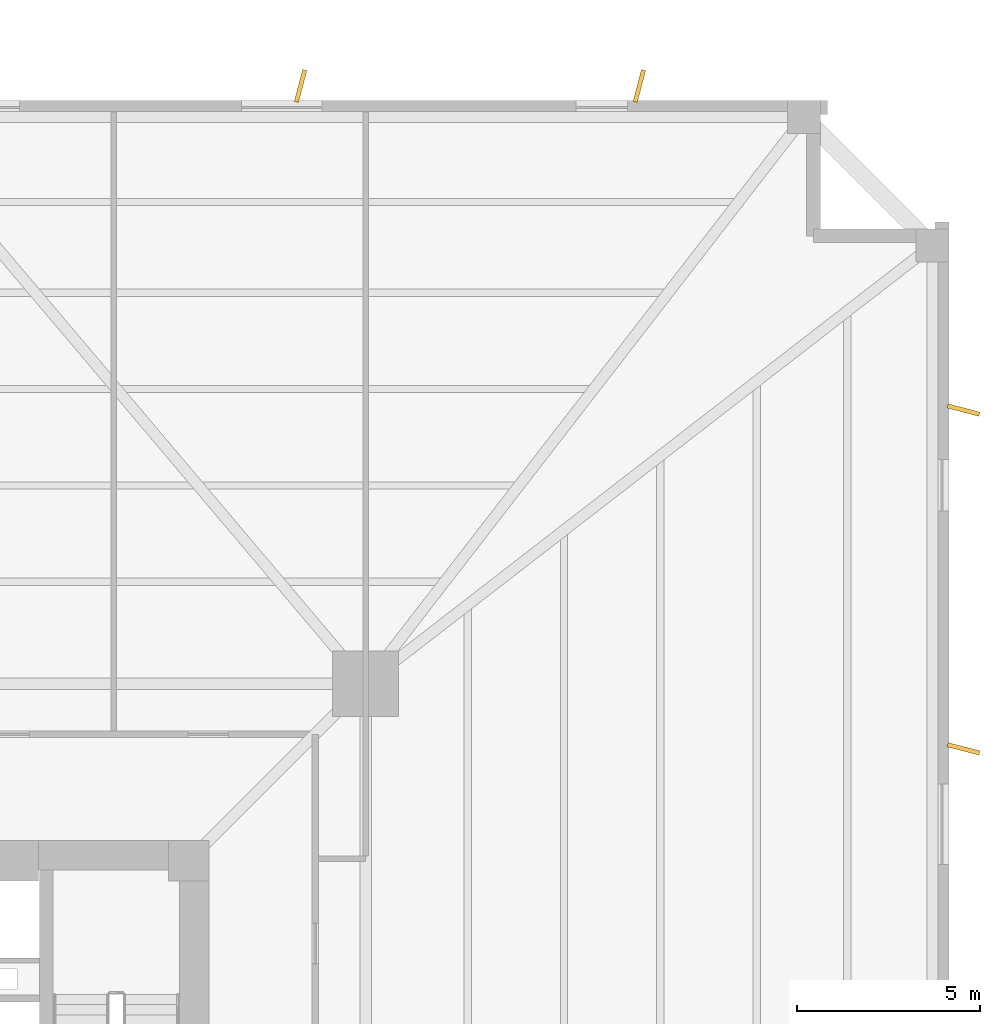
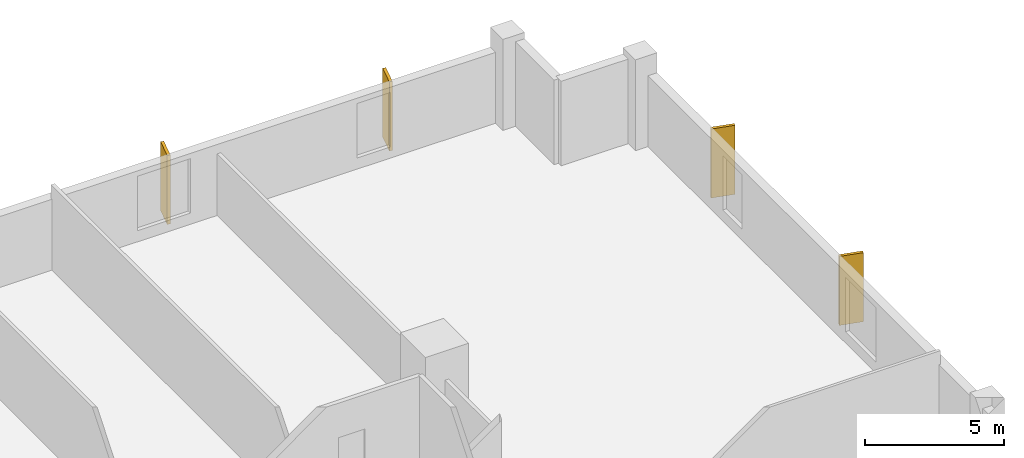
# One storey, part 8 of 8: 4 coverings.
"""IFC4 building model written with IfcOpenShell, lengths in metres."""

from ifc_helpers import new_model, si_unit, direction, frame, origin, origin_2d, place, context, subcontext, project, spatial, rectangle, extrude, source, transform, mapped, material, layer, layer_set, type_object, element, save


model = new_model("IFC4")

# Units and contexts
model_context = context("Model", 3, precision=1e-05, world=origin(), true_north=direction((0.0, 1.0)))
body_context = subcontext(model_context, "Body", "Model", "MODEL_VIEW")
ifc_project = project(units=[si_unit("LENGTHUNIT", "METRE"), si_unit("AREAUNIT", "SQUARE_METRE"), si_unit("VOLUMEUNIT", "CUBIC_METRE"), si_unit("PLANEANGLEUNIT", "RADIAN"), si_unit("MASSUNIT", "GRAM", prefix="KILO"), si_unit("THERMODYNAMICTEMPERATUREUNIT", "KELVIN")], contexts=[model_context])

# Site, building, storey
site_placement = place(None, origin())
site = spatial("IfcSite", under=ifc_project, at=site_placement, CompositionType="ELEMENT")
building_placement = place(site_placement, origin())
building = spatial("IfcBuilding", under=site, at=building_placement, Name="Kosmvard Interchange Tower", CompositionType="ELEMENT")
storey_placement = place(building_placement, frame((0.0, 0.0, 38.0)))
storey = spatial("IfcBuildingStorey", under=building, at=storey_placement, Name="L08", CompositionType="ELEMENT", Elevation=38.0)

# Coverings
ifc_material = material(Name="Architectural anodised aluminium", Category="aluminium")
ifc_layer = layer(ifc_material, 0.1201171875, Name="Architectural anodised aluminium")
ifc_layer_set = layer_set([ifc_layer], Name="Architectural anodised aluminium")
covering_type = type_object("IfcCoveringType", Name="Rotating Vertical Sun-Breaker Fin 900x120 Aluminium", PredefinedType="CLADDING", material=ifc_layer_set)
shared_shape = source(origin(), body_context, "Body", "SweptSolid", [
    extrude(rectangle(XDim=0.89990234375, YDim=0.1201171875, at=origin_2d()), origin(), (0.0, 0.0, 1.0), 3.0400390625),
])
for number, where, z_axis, x_axis, name in (
    (1, (29.39990234375, 11.3037109375, 0.0400390625), (0.0, 0.0, 1.0), (0.967488830021, -0.252913747716, 0.0), "L08 Rotating Vertical Sun-Breaker Fin 07"),
    (2, (29.39990234375, 20.552001953125, 0.0400390625), (0.0, 0.0, 1.0), (0.967488830021, -0.252913747716, 0.0), "L08 Rotating Vertical Sun-Breaker Fin 08"),
    (3, (20.552001953125, 29.39990234375, 0.0400390625), (0.0, 0.0, 1.0), (0.252913747716, 0.967488830021, 0.0), "L08 Rotating Vertical Sun-Breaker Fin 09"),
    (4, (11.3037109375, 29.39990234375, 0.0400390625), (0.0, 0.0, 1.0), (0.252913747716, 0.967488830021, 0.0), "L08 Rotating Vertical Sun-Breaker Fin 10"),
):
    element("IfcCovering", number, at=place(storey_placement, frame(where, z_axis=z_axis, x_axis=x_axis)), inside=storey, type_object=covering_type, Name=name, PredefinedType="CLADDING", context=body_context, shape_type="MappedRepresentation", body=[
        mapped(shared_shape, transform((0.0, 0.0, 0.0), scale=1.0)),
    ])

save(model, "model.ifc")
